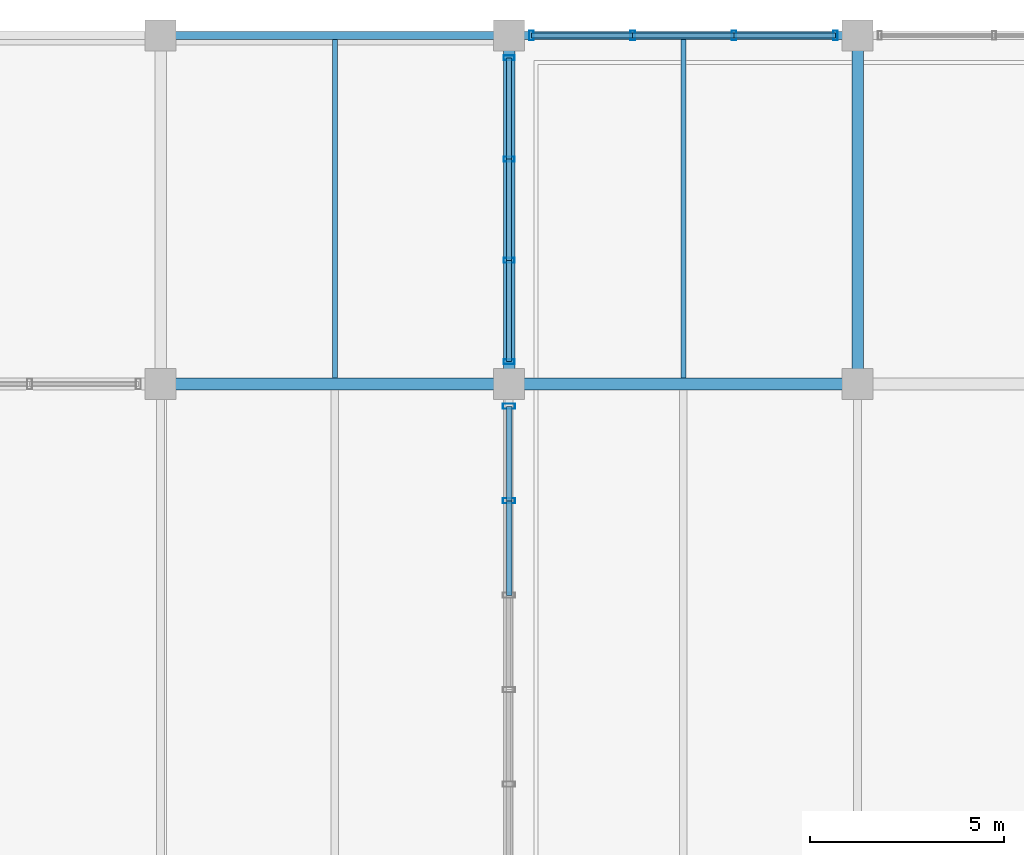
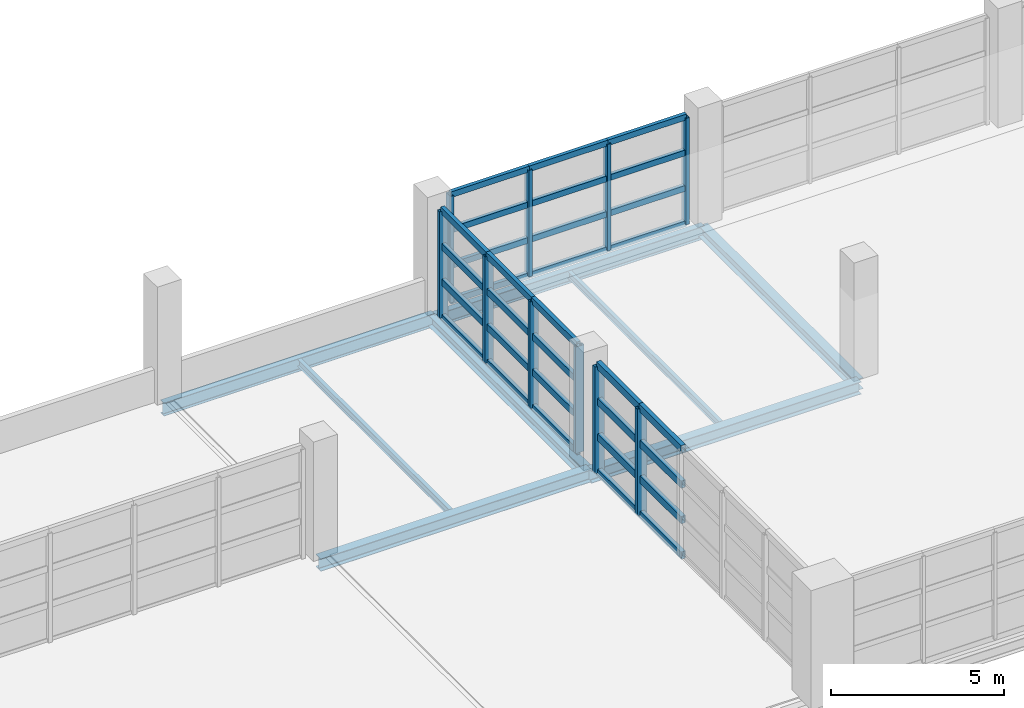
# One storey, part 55 of 136: 42 members, 8 beams, 3 elements without a shape of their own.
"""IFC4 building model written with IfcOpenShell, lengths in metres."""

from ifc_helpers import new_model, si_unit, direction, frame, origin, origin_2d, place, context, subcontext, project, spatial, hollow_rectangle, i_section, extrude, material, material_profile, profile_set, type_object, element, aggregate, save


model = new_model("IFC4")

# Units and contexts
model_context = context("Model", 3, precision=1e-05, world=origin(), true_north=direction((0.0, 1.0)))
body_context = subcontext(model_context, "Body", "Model", "MODEL_VIEW")
ifc_project = project(units=[si_unit("LENGTHUNIT", "METRE"), si_unit("AREAUNIT", "SQUARE_METRE"), si_unit("VOLUMEUNIT", "CUBIC_METRE"), si_unit("PLANEANGLEUNIT", "RADIAN"), si_unit("MASSUNIT", "GRAM", prefix="KILO")], contexts=[model_context])

# Site, building, storey
site_placement = place(None, origin())
site = spatial("IfcSite", under=ifc_project, at=site_placement, CompositionType="ELEMENT")
building_placement = place(site_placement, origin())
building = spatial("IfcBuilding", under=site, at=building_placement, Name="Chuanluo Vaults Station", CompositionType="ELEMENT")
storey_placement = place(building_placement, frame((0.0, 0.0, 6.60009765625)))
storey = spatial("IfcBuildingStorey", under=building, at=storey_placement, Name="L01", CompositionType="ELEMENT", Elevation=6.60009765625)

# Beams
ifc_material_1 = material(Name="Steel Q355C", Category="steel")
ifc_material_profile_1 = material_profile(ifc_material_1, i_section(OverallWidth=0.300048828125, OverallDepth=0.389892578125, WebThickness=0.010009765625, FlangeThickness=0.01611328125, FilletRadius=0.02001953125, at=origin_2d()))
ifc_profile_set_1 = profile_set([ifc_material_profile_1], Name="Steel Q355C")
beam_type_1 = type_object("IfcBeamType", Name="BM-GRD-400", PredefinedType="BEAM", material=ifc_profile_set_1)
for number, where, z_axis, x_axis, name in (
    (1, (117.0, 117.0, -0.455078125), (0.0, 1.0, 0.0), (-1.0, 0.0, 0.0), "Floor girder BM:GY:L01:0451"),
    (2, (126.0, 117.0, -0.455078125), (0.0, 1.0, 0.0), (-1.0, 0.0, 0.0), "Floor girder BM:GY:L01:0453"),
):
    element("IfcBeam", number, at=place(storey_placement, frame(where, z_axis=z_axis, x_axis=x_axis)), inside=storey, type_object=beam_type_1, Name=name, PredefinedType="BEAM", context=body_context, shape_type="SweptSolid", body=[
        extrude(i_section(OverallWidth=0.300048828125, OverallDepth=0.389892578125, WebThickness=0.010009765625, FlangeThickness=0.01611328125, FilletRadius=0.02001953125, at=origin_2d()), origin(), (0.0, 0.0, 1.0), 9.0),
    ])
ifc_material_2 = material(Name="Steel Q355C", Category="steel")
ifc_material_profile_2 = material_profile(ifc_material_2, i_section(OverallWidth=0.300048828125, OverallDepth=0.43994140625, WebThickness=0.010986328125, FlangeThickness=0.01806640625, FilletRadius=0.02001953125, at=origin_2d()))
ifc_profile_set_2 = profile_set([ifc_material_profile_2], Name="Steel Q355C")
beam_type_2 = type_object("IfcBeamType", Name="BM-GRD-450", PredefinedType="USERDEFINED", material=ifc_profile_set_2)
for number, where, z_axis, x_axis, name in (
    (3, (108.0, 117.0, -0.425048828125), (1.0, 0.0, 0.0), (0.0, 1.0, 0.0), "Floor girder BM:GX:L01:0383"),
    (4, (117.0, 117.0, -0.47998046875), (1.0, 0.0, 0.0), (0.0, 1.0, 0.0), "Floor girder BM:GX:L01:0384"),
):
    element("IfcBeam", number, at=place(storey_placement, frame(where, z_axis=z_axis, x_axis=x_axis)), inside=storey, type_object=beam_type_2, Name=name, ObjectType="GIRDER", PredefinedType="USERDEFINED", context=body_context, shape_type="SweptSolid", body=[
        extrude(i_section(OverallWidth=0.300048828125, OverallDepth=0.43994140625, WebThickness=0.010986328125, FlangeThickness=0.01806640625, FilletRadius=0.02001953125, at=origin_2d()), origin(), (0.0, 0.0, 1.0), 9.0),
    ])
ifc_material_3 = material(Name="Steel Q355C", Category="steel")
ifc_material_profile_3 = material_profile(ifc_material_3, i_section(OverallWidth=0.125, OverallDepth=0.25, WebThickness=0.006103515625, FlangeThickness=0.009033203125, FilletRadius=0.011962890625, at=origin_2d()))
ifc_profile_set_3 = profile_set([ifc_material_profile_3], Name="Steel Q355C")
beam_type_3 = type_object("IfcBeamType", Name="BM-SEC-250", PredefinedType="JOIST", material=ifc_profile_set_3)
for number, where, z_axis, x_axis, name in (
    (5, (112.5, 117.155029296875, -0.330078125), (0.0, 1.0, 0.0), (-1.0, 0.0, 0.0), "Composite secondary joist 0142"),
    (6, (121.5, 117.155029296875, -0.385009765625), (0.0, 1.0, 0.0), (-1.0, 0.0, 0.0), "Composite secondary joist 0144"),
):
    element("IfcBeam", number, at=place(storey_placement, frame(where, z_axis=z_axis, x_axis=x_axis)), inside=storey, type_object=beam_type_3, Name=name, PredefinedType="JOIST", context=body_context, shape_type="SweptSolid", body=[
        extrude(i_section(OverallWidth=0.125, OverallDepth=0.25, WebThickness=0.006103515625, FlangeThickness=0.009033203125, FilletRadius=0.011962890625, at=origin_2d()), origin(), (0.0, 0.0, 1.0), 8.737548828125),
    ])
ifc_material_4 = material(Name="Steel Q355C", Category="steel")
ifc_material_profile_4 = material_profile(ifc_material_4, i_section(OverallWidth=0.205078125, OverallDepth=0.4599609375, WebThickness=0.009033203125, FlangeThickness=0.013916015625, FilletRadius=0.01611328125, at=origin_2d()))
ifc_profile_set_4 = profile_set([ifc_material_profile_4], Name="Steel Q355C")
beam_type_4 = type_object("IfcBeamType", Name="BM-SPN-450", PredefinedType="SPANDREL", material=ifc_profile_set_4)
for number, where, z_axis, x_axis, name in (
    (7, (108.0, 126.0, -0.43505859375), (1.0, 0.0, 0.0), (0.0, 1.0, 0.0), "Floor girder BM:GX:L01:0397"),
    (8, (117.0, 126.0, -0.489990234375), (1.0, 0.0, 0.0), (0.0, 1.0, 0.0), "Floor girder BM:GX:L01:0398"),
):
    element("IfcBeam", number, at=place(storey_placement, frame(where, z_axis=z_axis, x_axis=x_axis)), inside=storey, type_object=beam_type_4, Name=name, PredefinedType="SPANDREL", context=body_context, shape_type="SweptSolid", body=[
        extrude(i_section(OverallWidth=0.205078125, OverallDepth=0.4599609375, WebThickness=0.009033203125, FlangeThickness=0.013916015625, FilletRadius=0.01611328125, at=origin_2d()), origin(), (0.0, 0.0, 1.0), 9.0),
    ])

# Curtain wall, members
ifc_material_5 = material(Name="Anodised aluminium 6063-T6", Category="aluminium")
curtain_wall_type_1 = type_object("IfcCurtainWallType", Name="CW-SYS-19", PredefinedType="NOTDEFINED", material=ifc_material_5)
curtain_wall_1_placement = place(storey_placement, origin())
curtain_wall_1 = element("IfcCurtainWall", 9, at=curtain_wall_1_placement, inside=storey, type_object=curtain_wall_type_1, Name="Operations L01 facade CW", PredefinedType="NOTDEFINED")
ifc_material_6 = material(Name="Anodised aluminium 6063-T6", Category="aluminium")
ifc_material_profile_5 = material_profile(ifc_material_6, hollow_rectangle(XDim=0.1201171875, YDim=0.25, WallThickness=0.006103515625, at=origin_2d()))
ifc_profile_set_5 = profile_set([ifc_material_profile_5], Name="Anodised aluminium 6063-T6")
member_type_1 = type_object("IfcMemberType", Name="CWM-160", PredefinedType="MULLION", material=ifc_profile_set_5)
member_1_placement = place(storey_placement, frame((117.574951171875, 126.0, 0.0), z_axis=(0.0, 0.0, 1.0), x_axis=(1.0, 0.0, 0.0)))
member_1 = element("IfcMember", 10, at=member_1_placement, type_object=member_type_1, Name="Operations L01 facade CW mullion 1", PredefinedType="MULLION", context=body_context, shape_type="SweptSolid", body=[
    extrude(hollow_rectangle(XDim=0.1201171875, YDim=0.25, WallThickness=0.006103515625, at=origin_2d()), origin(), (0.0, 0.0, 1.0), 3.75),
])
member_2_placement = place(storey_placement, frame((120.191650390625, 126.0, 0.0), z_axis=(0.0, 0.0, 1.0), x_axis=(1.0, 0.0, 0.0)))
member_2 = element("IfcMember", 11, at=member_2_placement, type_object=member_type_1, Name="Operations L01 facade CW mullion 2", PredefinedType="MULLION", context=body_context, shape_type="SweptSolid", body=[
    extrude(hollow_rectangle(XDim=0.1201171875, YDim=0.25, WallThickness=0.006103515625, at=origin_2d()), origin(), (0.0, 0.0, 1.0), 3.75),
])
member_3_placement = place(storey_placement, frame((122.808349609375, 126.0, 0.0), z_axis=(0.0, 0.0, 1.0), x_axis=(1.0, 0.0, 0.0)))
member_3 = element("IfcMember", 12, at=member_3_placement, type_object=member_type_1, Name="Operations L01 facade CW mullion 3", PredefinedType="MULLION", context=body_context, shape_type="SweptSolid", body=[
    extrude(hollow_rectangle(XDim=0.1201171875, YDim=0.25, WallThickness=0.006103515625, at=origin_2d()), origin(), (0.0, 0.0, 1.0), 3.75),
])
member_4_placement = place(storey_placement, frame((125.425048828125, 126.0, 0.0), z_axis=(0.0, 0.0, 1.0), x_axis=(1.0, 0.0, 0.0)))
member_4 = element("IfcMember", 13, at=member_4_placement, type_object=member_type_1, Name="Operations L01 facade CW mullion 4", PredefinedType="MULLION", context=body_context, shape_type="SweptSolid", body=[
    extrude(hollow_rectangle(XDim=0.1201171875, YDim=0.25, WallThickness=0.006103515625, at=origin_2d()), origin(), (0.0, 0.0, 1.0), 3.75),
])

ifc_material_7 = material(Name="Anodised aluminium 6063-T6", Category="aluminium")
curtain_wall_type_2 = type_object("IfcCurtainWallType", Name="CW-SYS-18", PredefinedType="NOTDEFINED", material=ifc_material_7)
curtain_wall_2_placement = place(storey_placement, origin())
curtain_wall_2 = element("IfcCurtainWall", 14, at=curtain_wall_2_placement, inside=storey, type_object=curtain_wall_type_2, Name="Operations L01 facade CW", PredefinedType="NOTDEFINED")
ifc_material_8 = material(Name="Anodised aluminium 6063-T6", Category="aluminium")
ifc_material_profile_6 = material_profile(ifc_material_8, hollow_rectangle(XDim=0.1298828125, YDim=0.280029296875, WallThickness=0.007080078125, at=origin_2d()))
ifc_profile_set_6 = profile_set([ifc_material_profile_6], Name="Anodised aluminium 6063-T6")
member_type_2 = type_object("IfcMemberType", Name="CWM-180", PredefinedType="MULLION", material=ifc_profile_set_6)
member_5_placement = place(storey_placement, frame((117.0, 117.574951171875, 0.0), z_axis=(0.0, 0.0, 1.0), x_axis=(0.0, 1.0, 0.0)))
member_5 = element("IfcMember", 15, at=member_5_placement, type_object=member_type_2, Name="Operations L01 facade CW mullion 1", PredefinedType="MULLION", context=body_context, shape_type="SweptSolid", body=[
    extrude(hollow_rectangle(XDim=0.1298828125, YDim=0.280029296875, WallThickness=0.007080078125, at=origin_2d()), origin(), (0.0, 0.0, 1.0), 3.75),
])
member_6_placement = place(storey_placement, frame((117.0, 120.191650390625, 0.0), z_axis=(0.0, 0.0, 1.0), x_axis=(0.0, 1.0, 0.0)))
member_6 = element("IfcMember", 16, at=member_6_placement, type_object=member_type_2, Name="Operations L01 facade CW mullion 2", PredefinedType="MULLION", context=body_context, shape_type="SweptSolid", body=[
    extrude(hollow_rectangle(XDim=0.1298828125, YDim=0.280029296875, WallThickness=0.007080078125, at=origin_2d()), origin(), (0.0, 0.0, 1.0), 3.75),
])
member_7_placement = place(storey_placement, frame((117.0, 122.808349609375, 0.0), z_axis=(0.0, 0.0, 1.0), x_axis=(0.0, 1.0, 0.0)))
member_7 = element("IfcMember", 17, at=member_7_placement, type_object=member_type_2, Name="Operations L01 facade CW mullion 3", PredefinedType="MULLION", context=body_context, shape_type="SweptSolid", body=[
    extrude(hollow_rectangle(XDim=0.1298828125, YDim=0.280029296875, WallThickness=0.007080078125, at=origin_2d()), origin(), (0.0, 0.0, 1.0), 3.75),
])
member_8_placement = place(storey_placement, frame((117.0, 125.425048828125, 0.0), z_axis=(0.0, 0.0, 1.0), x_axis=(0.0, 1.0, 0.0)))
member_8 = element("IfcMember", 18, at=member_8_placement, type_object=member_type_2, Name="Operations L01 facade CW mullion 4", PredefinedType="MULLION", context=body_context, shape_type="SweptSolid", body=[
    extrude(hollow_rectangle(XDim=0.1298828125, YDim=0.280029296875, WallThickness=0.007080078125, at=origin_2d()), origin(), (0.0, 0.0, 1.0), 3.75),
])

ifc_material_9 = material(Name="Anodised aluminium 6063-T6", Category="aluminium")
curtain_wall_type_3 = type_object("IfcCurtainWallType", Name="CW-SYS-17", PredefinedType="NOTDEFINED", material=ifc_material_9)
curtain_wall_3_placement = place(storey_placement, origin())
curtain_wall_3 = element("IfcCurtainWall", 19, at=curtain_wall_3_placement, inside=storey, type_object=curtain_wall_type_3, Name="Operations L01 facade CW", PredefinedType="NOTDEFINED")
ifc_material_10 = material(Name="Anodised aluminium 6063-T6", Category="aluminium")
ifc_material_profile_7 = material_profile(ifc_material_10, hollow_rectangle(XDim=0.139892578125, YDim=0.320068359375, WallThickness=0.008056640625, at=origin_2d()))
ifc_profile_set_7 = profile_set([ifc_material_profile_7], Name="Anodised aluminium 6063-T6")
member_type_3 = type_object("IfcMemberType", Name="CWM-220", PredefinedType="MULLION", material=ifc_profile_set_7)
member_9_placement = place(storey_placement, frame((117.0, 113.985107421875, 0.0), z_axis=(0.0, 0.0, 1.0), x_axis=(0.0, 1.0, 0.0)))
member_9 = element("IfcMember", 20, at=member_9_placement, type_object=member_type_3, Name="Operations L01 facade CW mullion 5", PredefinedType="MULLION", context=body_context, shape_type="SweptSolid", body=[
    extrude(hollow_rectangle(XDim=0.139892578125, YDim=0.320068359375, WallThickness=0.008056640625, at=origin_2d()), origin(), (0.0, 0.0, 1.0), 3.75),
])
member_10_placement = place(storey_placement, frame((117.0, 116.425048828125, 0.0), z_axis=(0.0, 0.0, 1.0), x_axis=(0.0, 1.0, 0.0)))
member_10 = element("IfcMember", 21, at=member_10_placement, type_object=member_type_3, Name="Operations L01 facade CW mullion 6", PredefinedType="MULLION", context=body_context, shape_type="SweptSolid", body=[
    extrude(hollow_rectangle(XDim=0.139892578125, YDim=0.320068359375, WallThickness=0.008056640625, at=origin_2d()), origin(), (0.0, 0.0, 1.0), 3.75),
])

# Member
ifc_material_11 = material(Name="Anodised aluminium 6063-T6", Category="aluminium")
ifc_material_profile_8 = material_profile(ifc_material_11, hollow_rectangle(XDim=0.1201171875, YDim=0.205078125, WallThickness=0.006103515625, at=origin_2d()))
ifc_profile_set_8 = profile_set([ifc_material_profile_8], Name="Anodised aluminium 6063-T6")
member_type_4 = type_object("IfcMemberType", Name="CWT-130", PredefinedType="USERDEFINED", material=ifc_profile_set_8)
member_11_placement = place(storey_placement, frame((117.574951171875, 126.0, 0.0), z_axis=(1.0, 0.0, 0.0), x_axis=(0.0, 1.0, 0.0)))
member_11 = element("IfcMember", 22, at=member_11_placement, type_object=member_type_4, Name="Operations L01 facade CW transom 1.1", ObjectType="TRANSOM", PredefinedType="USERDEFINED", context=body_context, shape_type="SweptSolid", body=[
    extrude(hollow_rectangle(XDim=0.1201171875, YDim=0.205078125, WallThickness=0.006103515625, at=origin_2d()), origin(), (0.0, 0.0, 1.0), 2.61669921875),
])

member_12_placement = place(storey_placement, frame((117.574951171875, 126.0, 1.25), z_axis=(1.0, 0.0, 0.0), x_axis=(0.0, 1.0, 0.0)))
member_12 = element("IfcMember", 23, at=member_12_placement, type_object=member_type_4, Name="Operations L01 facade CW transom 1.2", ObjectType="TRANSOM", PredefinedType="USERDEFINED", context=body_context, shape_type="SweptSolid", body=[
    extrude(hollow_rectangle(XDim=0.1201171875, YDim=0.205078125, WallThickness=0.006103515625, at=origin_2d()), origin(), (0.0, 0.0, 1.0), 2.61669921875),
])

member_13_placement = place(storey_placement, frame((117.574951171875, 126.0, 2.5), z_axis=(1.0, 0.0, 0.0), x_axis=(0.0, 1.0, 0.0)))
member_13 = element("IfcMember", 24, at=member_13_placement, type_object=member_type_4, Name="Operations L01 facade CW transom 1.3", ObjectType="TRANSOM", PredefinedType="USERDEFINED", context=body_context, shape_type="SweptSolid", body=[
    extrude(hollow_rectangle(XDim=0.1201171875, YDim=0.205078125, WallThickness=0.006103515625, at=origin_2d()), origin(), (0.0, 0.0, 1.0), 2.61669921875),
])

member_14_placement = place(storey_placement, frame((117.574951171875, 126.0, 3.75), z_axis=(1.0, 0.0, 0.0), x_axis=(0.0, 1.0, 0.0)))
member_14 = element("IfcMember", 25, at=member_14_placement, type_object=member_type_4, Name="Operations L01 facade CW transom 1.4", ObjectType="TRANSOM", PredefinedType="USERDEFINED", context=body_context, shape_type="SweptSolid", body=[
    extrude(hollow_rectangle(XDim=0.1201171875, YDim=0.205078125, WallThickness=0.006103515625, at=origin_2d()), origin(), (0.0, 0.0, 1.0), 2.61669921875),
])

member_15_placement = place(storey_placement, frame((120.191650390625, 126.0, 0.0), z_axis=(1.0, 0.0, 0.0), x_axis=(0.0, 1.0, 0.0)))
member_15 = element("IfcMember", 26, at=member_15_placement, type_object=member_type_4, Name="Operations L01 facade CW transom 2.1", ObjectType="TRANSOM", PredefinedType="USERDEFINED", context=body_context, shape_type="SweptSolid", body=[
    extrude(hollow_rectangle(XDim=0.1201171875, YDim=0.205078125, WallThickness=0.006103515625, at=origin_2d()), origin(), (0.0, 0.0, 1.0), 2.61669921875),
])

member_16_placement = place(storey_placement, frame((120.191650390625, 126.0, 1.25), z_axis=(1.0, 0.0, 0.0), x_axis=(0.0, 1.0, 0.0)))
member_16 = element("IfcMember", 27, at=member_16_placement, type_object=member_type_4, Name="Operations L01 facade CW transom 2.2", ObjectType="TRANSOM", PredefinedType="USERDEFINED", context=body_context, shape_type="SweptSolid", body=[
    extrude(hollow_rectangle(XDim=0.1201171875, YDim=0.205078125, WallThickness=0.006103515625, at=origin_2d()), origin(), (0.0, 0.0, 1.0), 2.61669921875),
])

member_17_placement = place(storey_placement, frame((120.191650390625, 126.0, 2.5), z_axis=(1.0, 0.0, 0.0), x_axis=(0.0, 1.0, 0.0)))
member_17 = element("IfcMember", 28, at=member_17_placement, type_object=member_type_4, Name="Operations L01 facade CW transom 2.3", ObjectType="TRANSOM", PredefinedType="USERDEFINED", context=body_context, shape_type="SweptSolid", body=[
    extrude(hollow_rectangle(XDim=0.1201171875, YDim=0.205078125, WallThickness=0.006103515625, at=origin_2d()), origin(), (0.0, 0.0, 1.0), 2.61669921875),
])

member_18_placement = place(storey_placement, frame((120.191650390625, 126.0, 3.75), z_axis=(1.0, 0.0, 0.0), x_axis=(0.0, 1.0, 0.0)))
member_18 = element("IfcMember", 29, at=member_18_placement, type_object=member_type_4, Name="Operations L01 facade CW transom 2.4", ObjectType="TRANSOM", PredefinedType="USERDEFINED", context=body_context, shape_type="SweptSolid", body=[
    extrude(hollow_rectangle(XDim=0.1201171875, YDim=0.205078125, WallThickness=0.006103515625, at=origin_2d()), origin(), (0.0, 0.0, 1.0), 2.61669921875),
])

member_19_placement = place(storey_placement, frame((122.808349609375, 126.0, 0.0), z_axis=(1.0, 0.0, 0.0), x_axis=(0.0, 1.0, 0.0)))
member_19 = element("IfcMember", 30, at=member_19_placement, type_object=member_type_4, Name="Operations L01 facade CW transom 3.1", ObjectType="TRANSOM", PredefinedType="USERDEFINED", context=body_context, shape_type="SweptSolid", body=[
    extrude(hollow_rectangle(XDim=0.1201171875, YDim=0.205078125, WallThickness=0.006103515625, at=origin_2d()), origin(), (0.0, 0.0, 1.0), 2.61669921875),
])

member_20_placement = place(storey_placement, frame((122.808349609375, 126.0, 1.25), z_axis=(1.0, 0.0, 0.0), x_axis=(0.0, 1.0, 0.0)))
member_20 = element("IfcMember", 31, at=member_20_placement, type_object=member_type_4, Name="Operations L01 facade CW transom 3.2", ObjectType="TRANSOM", PredefinedType="USERDEFINED", context=body_context, shape_type="SweptSolid", body=[
    extrude(hollow_rectangle(XDim=0.1201171875, YDim=0.205078125, WallThickness=0.006103515625, at=origin_2d()), origin(), (0.0, 0.0, 1.0), 2.61669921875),
])

member_21_placement = place(storey_placement, frame((122.808349609375, 126.0, 2.5), z_axis=(1.0, 0.0, 0.0), x_axis=(0.0, 1.0, 0.0)))
member_21 = element("IfcMember", 32, at=member_21_placement, type_object=member_type_4, Name="Operations L01 facade CW transom 3.3", ObjectType="TRANSOM", PredefinedType="USERDEFINED", context=body_context, shape_type="SweptSolid", body=[
    extrude(hollow_rectangle(XDim=0.1201171875, YDim=0.205078125, WallThickness=0.006103515625, at=origin_2d()), origin(), (0.0, 0.0, 1.0), 2.61669921875),
])

member_22_placement = place(storey_placement, frame((122.808349609375, 126.0, 3.75), z_axis=(1.0, 0.0, 0.0), x_axis=(0.0, 1.0, 0.0)))
member_22 = element("IfcMember", 33, at=member_22_placement, type_object=member_type_4, Name="Operations L01 facade CW transom 3.4", ObjectType="TRANSOM", PredefinedType="USERDEFINED", context=body_context, shape_type="SweptSolid", body=[
    extrude(hollow_rectangle(XDim=0.1201171875, YDim=0.205078125, WallThickness=0.006103515625, at=origin_2d()), origin(), (0.0, 0.0, 1.0), 2.61669921875),
])

aggregate(curtain_wall_1, [member_1, member_2, member_3, member_4, member_11, member_12, member_13, member_14, member_15, member_16, member_17, member_18, member_19, member_20, member_21, member_22])

ifc_material_12 = material(Name="Anodised aluminium 6063-T6", Category="aluminium")
ifc_material_profile_9 = material_profile(ifc_material_12, hollow_rectangle(XDim=0.1298828125, YDim=0.22998046875, WallThickness=0.006103515625, at=origin_2d()))
ifc_profile_set_9 = profile_set([ifc_material_profile_9], Name="Anodised aluminium 6063-T6")
member_type_5 = type_object("IfcMemberType", Name="CWT-150", PredefinedType="USERDEFINED", material=ifc_profile_set_9)
member_23_placement = place(storey_placement, frame((117.0, 117.574951171875, 0.0), z_axis=(0.0, 1.0, 0.0), x_axis=(-1.0, 0.0, 0.0)))
member_23 = element("IfcMember", 34, at=member_23_placement, type_object=member_type_5, Name="Operations L01 facade CW transom 1.1", ObjectType="TRANSOM", PredefinedType="USERDEFINED", context=body_context, shape_type="SweptSolid", body=[
    extrude(hollow_rectangle(XDim=0.1298828125, YDim=0.22998046875, WallThickness=0.006103515625, at=origin_2d()), origin(), (0.0, 0.0, 1.0), 2.61669921875),
])

member_24_placement = place(storey_placement, frame((117.0, 117.574951171875, 1.25), z_axis=(0.0, 1.0, 0.0), x_axis=(-1.0, 0.0, 0.0)))
member_24 = element("IfcMember", 35, at=member_24_placement, type_object=member_type_5, Name="Operations L01 facade CW transom 1.2", ObjectType="TRANSOM", PredefinedType="USERDEFINED", context=body_context, shape_type="SweptSolid", body=[
    extrude(hollow_rectangle(XDim=0.1298828125, YDim=0.22998046875, WallThickness=0.006103515625, at=origin_2d()), origin(), (0.0, 0.0, 1.0), 2.61669921875),
])

member_25_placement = place(storey_placement, frame((117.0, 117.574951171875, 2.5), z_axis=(0.0, 1.0, 0.0), x_axis=(-1.0, 0.0, 0.0)))
member_25 = element("IfcMember", 36, at=member_25_placement, type_object=member_type_5, Name="Operations L01 facade CW transom 1.3", ObjectType="TRANSOM", PredefinedType="USERDEFINED", context=body_context, shape_type="SweptSolid", body=[
    extrude(hollow_rectangle(XDim=0.1298828125, YDim=0.22998046875, WallThickness=0.006103515625, at=origin_2d()), origin(), (0.0, 0.0, 1.0), 2.61669921875),
])

member_26_placement = place(storey_placement, frame((117.0, 117.574951171875, 3.75), z_axis=(0.0, 1.0, 0.0), x_axis=(-1.0, 0.0, 0.0)))
member_26 = element("IfcMember", 37, at=member_26_placement, type_object=member_type_5, Name="Operations L01 facade CW transom 1.4", ObjectType="TRANSOM", PredefinedType="USERDEFINED", context=body_context, shape_type="SweptSolid", body=[
    extrude(hollow_rectangle(XDim=0.1298828125, YDim=0.22998046875, WallThickness=0.006103515625, at=origin_2d()), origin(), (0.0, 0.0, 1.0), 2.61669921875),
])

member_27_placement = place(storey_placement, frame((117.0, 120.191650390625, 0.0), z_axis=(0.0, 1.0, 0.0), x_axis=(-1.0, 0.0, 0.0)))
member_27 = element("IfcMember", 38, at=member_27_placement, type_object=member_type_5, Name="Operations L01 facade CW transom 2.1", ObjectType="TRANSOM", PredefinedType="USERDEFINED", context=body_context, shape_type="SweptSolid", body=[
    extrude(hollow_rectangle(XDim=0.1298828125, YDim=0.22998046875, WallThickness=0.006103515625, at=origin_2d()), origin(), (0.0, 0.0, 1.0), 2.61669921875),
])

member_28_placement = place(storey_placement, frame((117.0, 120.191650390625, 1.25), z_axis=(0.0, 1.0, 0.0), x_axis=(-1.0, 0.0, 0.0)))
member_28 = element("IfcMember", 39, at=member_28_placement, type_object=member_type_5, Name="Operations L01 facade CW transom 2.2", ObjectType="TRANSOM", PredefinedType="USERDEFINED", context=body_context, shape_type="SweptSolid", body=[
    extrude(hollow_rectangle(XDim=0.1298828125, YDim=0.22998046875, WallThickness=0.006103515625, at=origin_2d()), origin(), (0.0, 0.0, 1.0), 2.61669921875),
])

member_29_placement = place(storey_placement, frame((117.0, 120.191650390625, 2.5), z_axis=(0.0, 1.0, 0.0), x_axis=(-1.0, 0.0, 0.0)))
member_29 = element("IfcMember", 40, at=member_29_placement, type_object=member_type_5, Name="Operations L01 facade CW transom 2.3", ObjectType="TRANSOM", PredefinedType="USERDEFINED", context=body_context, shape_type="SweptSolid", body=[
    extrude(hollow_rectangle(XDim=0.1298828125, YDim=0.22998046875, WallThickness=0.006103515625, at=origin_2d()), origin(), (0.0, 0.0, 1.0), 2.61669921875),
])

member_30_placement = place(storey_placement, frame((117.0, 120.191650390625, 3.75), z_axis=(0.0, 1.0, 0.0), x_axis=(-1.0, 0.0, 0.0)))
member_30 = element("IfcMember", 41, at=member_30_placement, type_object=member_type_5, Name="Operations L01 facade CW transom 2.4", ObjectType="TRANSOM", PredefinedType="USERDEFINED", context=body_context, shape_type="SweptSolid", body=[
    extrude(hollow_rectangle(XDim=0.1298828125, YDim=0.22998046875, WallThickness=0.006103515625, at=origin_2d()), origin(), (0.0, 0.0, 1.0), 2.61669921875),
])

member_31_placement = place(storey_placement, frame((117.0, 122.808349609375, 0.0), z_axis=(0.0, 1.0, 0.0), x_axis=(-1.0, 0.0, 0.0)))
member_31 = element("IfcMember", 42, at=member_31_placement, type_object=member_type_5, Name="Operations L01 facade CW transom 3.1", ObjectType="TRANSOM", PredefinedType="USERDEFINED", context=body_context, shape_type="SweptSolid", body=[
    extrude(hollow_rectangle(XDim=0.1298828125, YDim=0.22998046875, WallThickness=0.006103515625, at=origin_2d()), origin(), (0.0, 0.0, 1.0), 2.61669921875),
])

member_32_placement = place(storey_placement, frame((117.0, 122.808349609375, 1.25), z_axis=(0.0, 1.0, 0.0), x_axis=(-1.0, 0.0, 0.0)))
member_32 = element("IfcMember", 43, at=member_32_placement, type_object=member_type_5, Name="Operations L01 facade CW transom 3.2", ObjectType="TRANSOM", PredefinedType="USERDEFINED", context=body_context, shape_type="SweptSolid", body=[
    extrude(hollow_rectangle(XDim=0.1298828125, YDim=0.22998046875, WallThickness=0.006103515625, at=origin_2d()), origin(), (0.0, 0.0, 1.0), 2.61669921875),
])

member_33_placement = place(storey_placement, frame((117.0, 122.808349609375, 2.5), z_axis=(0.0, 1.0, 0.0), x_axis=(-1.0, 0.0, 0.0)))
member_33 = element("IfcMember", 44, at=member_33_placement, type_object=member_type_5, Name="Operations L01 facade CW transom 3.3", ObjectType="TRANSOM", PredefinedType="USERDEFINED", context=body_context, shape_type="SweptSolid", body=[
    extrude(hollow_rectangle(XDim=0.1298828125, YDim=0.22998046875, WallThickness=0.006103515625, at=origin_2d()), origin(), (0.0, 0.0, 1.0), 2.61669921875),
])

member_34_placement = place(storey_placement, frame((117.0, 122.808349609375, 3.75), z_axis=(0.0, 1.0, 0.0), x_axis=(-1.0, 0.0, 0.0)))
member_34 = element("IfcMember", 45, at=member_34_placement, type_object=member_type_5, Name="Operations L01 facade CW transom 3.4", ObjectType="TRANSOM", PredefinedType="USERDEFINED", context=body_context, shape_type="SweptSolid", body=[
    extrude(hollow_rectangle(XDim=0.1298828125, YDim=0.22998046875, WallThickness=0.006103515625, at=origin_2d()), origin(), (0.0, 0.0, 1.0), 2.61669921875),
])

aggregate(curtain_wall_2, [member_5, member_6, member_7, member_8, member_23, member_24, member_25, member_26, member_27, member_28, member_29, member_30, member_31, member_32, member_33, member_34])

ifc_material_13 = material(Name="Anodised aluminium 6063-T6", Category="aluminium")
ifc_material_profile_10 = material_profile(ifc_material_13, hollow_rectangle(XDim=0.139892578125, YDim=0.260009765625, WallThickness=0.007080078125, at=origin_2d()))
ifc_profile_set_10 = profile_set([ifc_material_profile_10], Name="Anodised aluminium 6063-T6")
member_type_6 = type_object("IfcMemberType", Name="CWT-180", PredefinedType="USERDEFINED", material=ifc_profile_set_10)
member_35_placement = place(storey_placement, frame((117.0, 111.544921875, 0.0), z_axis=(0.0, 1.0, 0.0), x_axis=(-1.0, 0.0, 0.0)))
member_35 = element("IfcMember", 46, at=member_35_placement, type_object=member_type_6, Name="Operations L01 facade CW transom 4.1", ObjectType="TRANSOM", PredefinedType="USERDEFINED", context=body_context, shape_type="SweptSolid", body=[
    extrude(hollow_rectangle(XDim=0.139892578125, YDim=0.260009765625, WallThickness=0.007080078125, at=origin_2d()), origin(), (0.0, 0.0, 1.0), 2.440185546875),
])

member_36_placement = place(storey_placement, frame((117.0, 111.544921875, 1.25), z_axis=(0.0, 1.0, 0.0), x_axis=(-1.0, 0.0, 0.0)))
member_36 = element("IfcMember", 47, at=member_36_placement, type_object=member_type_6, Name="Operations L01 facade CW transom 4.2", ObjectType="TRANSOM", PredefinedType="USERDEFINED", context=body_context, shape_type="SweptSolid", body=[
    extrude(hollow_rectangle(XDim=0.139892578125, YDim=0.260009765625, WallThickness=0.007080078125, at=origin_2d()), origin(), (0.0, 0.0, 1.0), 2.440185546875),
])

member_37_placement = place(storey_placement, frame((117.0, 111.544921875, 2.5), z_axis=(0.0, 1.0, 0.0), x_axis=(-1.0, 0.0, 0.0)))
member_37 = element("IfcMember", 48, at=member_37_placement, type_object=member_type_6, Name="Operations L01 facade CW transom 4.3", ObjectType="TRANSOM", PredefinedType="USERDEFINED", context=body_context, shape_type="SweptSolid", body=[
    extrude(hollow_rectangle(XDim=0.139892578125, YDim=0.260009765625, WallThickness=0.007080078125, at=origin_2d()), origin(), (0.0, 0.0, 1.0), 2.440185546875),
])

member_38_placement = place(storey_placement, frame((117.0, 111.544921875, 3.75), z_axis=(0.0, 1.0, 0.0), x_axis=(-1.0, 0.0, 0.0)))
member_38 = element("IfcMember", 49, at=member_38_placement, type_object=member_type_6, Name="Operations L01 facade CW transom 4.4", ObjectType="TRANSOM", PredefinedType="USERDEFINED", context=body_context, shape_type="SweptSolid", body=[
    extrude(hollow_rectangle(XDim=0.139892578125, YDim=0.260009765625, WallThickness=0.007080078125, at=origin_2d()), origin(), (0.0, 0.0, 1.0), 2.440185546875),
])

member_39_placement = place(storey_placement, frame((117.0, 113.985107421875, 0.0), z_axis=(0.0, 1.0, 0.0), x_axis=(-1.0, 0.0, 0.0)))
member_39 = element("IfcMember", 50, at=member_39_placement, type_object=member_type_6, Name="Operations L01 facade CW transom 5.1", ObjectType="TRANSOM", PredefinedType="USERDEFINED", context=body_context, shape_type="SweptSolid", body=[
    extrude(hollow_rectangle(XDim=0.139892578125, YDim=0.260009765625, WallThickness=0.007080078125, at=origin_2d()), origin(), (0.0, 0.0, 1.0), 2.43994140625),
])

member_40_placement = place(storey_placement, frame((117.0, 113.985107421875, 1.25), z_axis=(0.0, 1.0, 0.0), x_axis=(-1.0, 0.0, 0.0)))
member_40 = element("IfcMember", 51, at=member_40_placement, type_object=member_type_6, Name="Operations L01 facade CW transom 5.2", ObjectType="TRANSOM", PredefinedType="USERDEFINED", context=body_context, shape_type="SweptSolid", body=[
    extrude(hollow_rectangle(XDim=0.139892578125, YDim=0.260009765625, WallThickness=0.007080078125, at=origin_2d()), origin(), (0.0, 0.0, 1.0), 2.43994140625),
])

member_41_placement = place(storey_placement, frame((117.0, 113.985107421875, 2.5), z_axis=(0.0, 1.0, 0.0), x_axis=(-1.0, 0.0, 0.0)))
member_41 = element("IfcMember", 52, at=member_41_placement, type_object=member_type_6, Name="Operations L01 facade CW transom 5.3", ObjectType="TRANSOM", PredefinedType="USERDEFINED", context=body_context, shape_type="SweptSolid", body=[
    extrude(hollow_rectangle(XDim=0.139892578125, YDim=0.260009765625, WallThickness=0.007080078125, at=origin_2d()), origin(), (0.0, 0.0, 1.0), 2.43994140625),
])

member_42_placement = place(storey_placement, frame((117.0, 113.985107421875, 3.75), z_axis=(0.0, 1.0, 0.0), x_axis=(-1.0, 0.0, 0.0)))
member_42 = element("IfcMember", 53, at=member_42_placement, type_object=member_type_6, Name="Operations L01 facade CW transom 5.4", ObjectType="TRANSOM", PredefinedType="USERDEFINED", context=body_context, shape_type="SweptSolid", body=[
    extrude(hollow_rectangle(XDim=0.139892578125, YDim=0.260009765625, WallThickness=0.007080078125, at=origin_2d()), origin(), (0.0, 0.0, 1.0), 2.43994140625),
])

aggregate(curtain_wall_3, [member_9, member_10, member_35, member_36, member_37, member_38, member_39, member_40, member_41, member_42])

save(model, "model.ifc")
